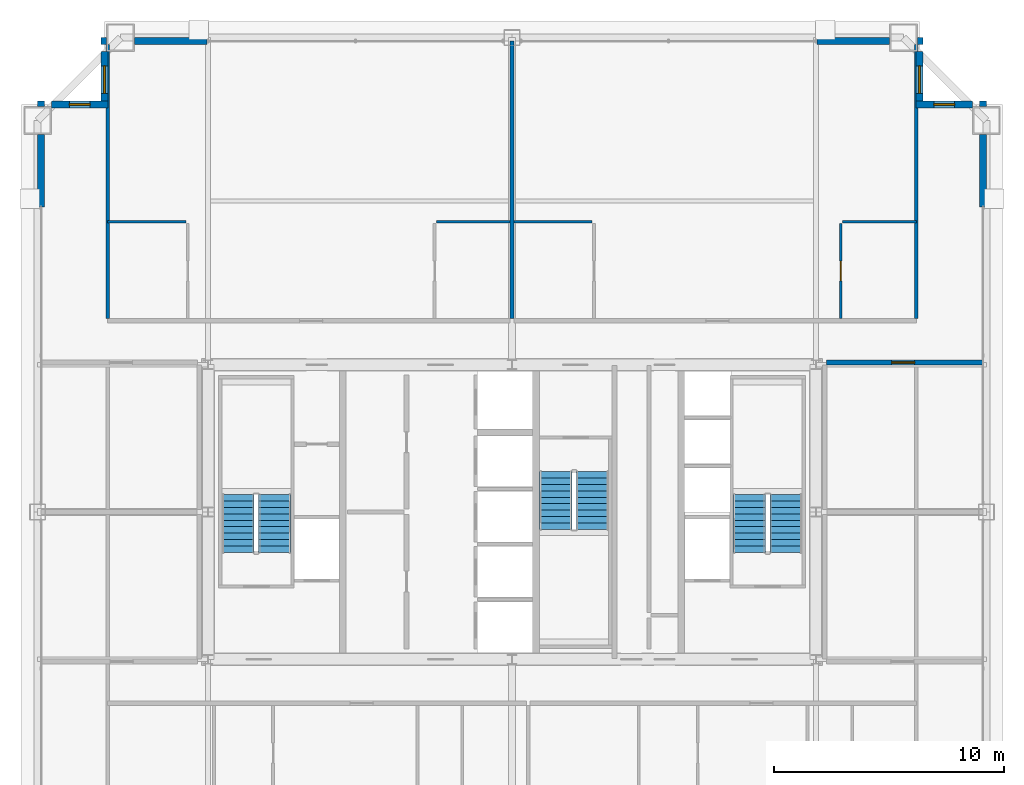
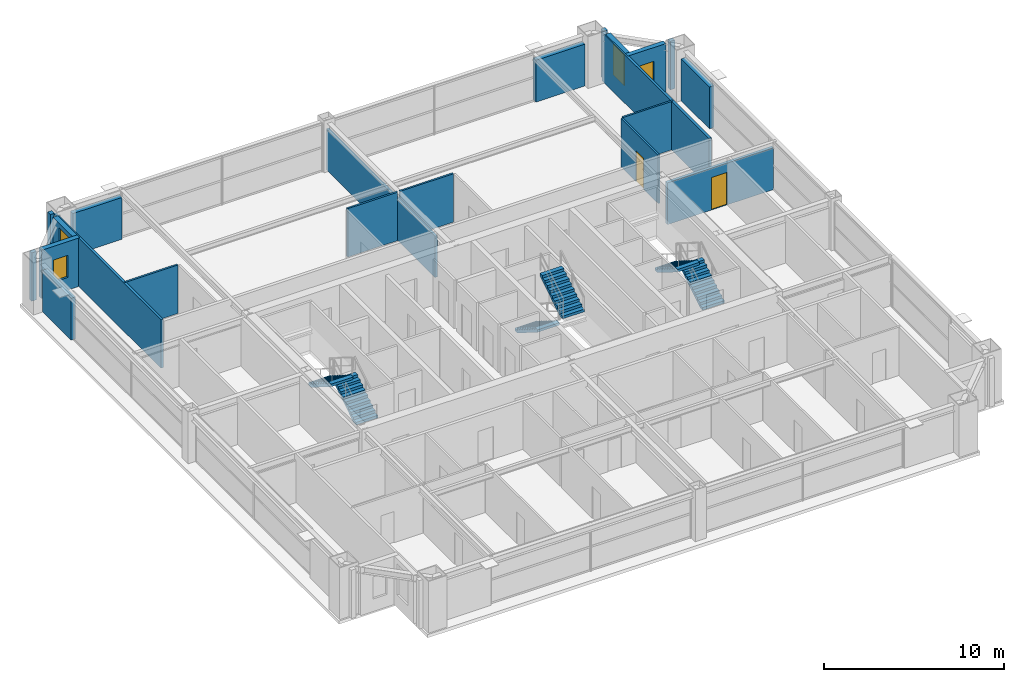
# One storey, part 35 of 36: 21 walls, 6 stair flights, 4 windows, 2 doors, 6 openings, 3 elements without a shape of their own.
"""IFC4 building model written with IfcOpenShell, lengths in metres."""

from ifc_helpers import new_model, si_unit, direction, frame, frame_2d, origin, place, context, subcontext, project, spatial, polyline, rectangle, outline, extrude, source, transform, mapped, material, layer, layer_set, type_object, element, fill, aggregate, save


model = new_model("IFC4")

# Units and contexts
model_context = context("Model", 3, precision=1e-05, world=origin(), true_north=direction((0.0, 1.0)))
body_context = subcontext(model_context, "Body", "Model", "MODEL_VIEW")
ifc_project = project(units=[si_unit("LENGTHUNIT", "METRE"), si_unit("AREAUNIT", "SQUARE_METRE"), si_unit("VOLUMEUNIT", "CUBIC_METRE"), si_unit("PLANEANGLEUNIT", "RADIAN"), si_unit("MASSUNIT", "GRAM", prefix="KILO"), si_unit("THERMODYNAMICTEMPERATUREUNIT", "KELVIN"), si_unit("POWERUNIT", "WATT")], contexts=[model_context])

# Site, building, storey
site_placement = place(None, origin())
site = spatial("IfcSite", under=ifc_project, at=site_placement, CompositionType="ELEMENT")
building_placement = place(site_placement, origin())
building = spatial("IfcBuilding", under=site, at=building_placement, Name="Yuzanri Waterfront Tower", CompositionType="ELEMENT")
storey_placement = place(building_placement, frame((0.0, 0.0, 231.10009765625)))
storey = spatial("IfcBuildingStorey", under=building, at=storey_placement, Name="L61", CompositionType="ELEMENT", Elevation=231.10009765625)

# Wall, opening, door
ifc_material_1 = material(Name="Moisture-Resistant Gypsum Stud Wall", Category="gypsum")
ifc_layer_1 = layer(ifc_material_1, 0.1201171875)
ifc_layer_set_1 = layer_set([ifc_layer_1], Name="Moisture-Resistant Gypsum Stud Wall")
wall_type_1 = type_object("IfcWallType", Name="Bathroom and Kitchen Wet Partition 120", PredefinedType="PARTITIONING", material=ifc_layer_set_1)
wall_1_placement = place(storey_placement, frame((51.280029296875, 34.2099609375, 0.0), z_axis=(0.0, 0.0, 1.0), x_axis=(0.0, 1.0, 0.0)))
wall_1 = element("IfcWall", 1, at=wall_1_placement, inside=storey, type_object=wall_type_1, Name="L61 Partition UW-L61-RN2-SUB-2-W", PredefinedType="PARTITIONING", context=body_context, shape_type="SweptSolid", body=[
    extrude(rectangle(XDim=4.110107421875, YDim=0.1201171875, at=frame_2d((2.05517578125, 0.0))), origin(), (0.0, 0.0, 1.0), 3.27978515625),
])
opening_1_placement = place(wall_1_placement, frame((1.6298828125, 0.0, 0.0)))
opening_1 = element("IfcOpeningElement", 2, at=opening_1_placement, cuts=wall_1, Name="Opening ID-0850", PredefinedType="OPENING", context=body_context, shape_type="SweptSolid", body=[
    extrude(rectangle(XDim=0.85009765625, YDim=2.10009765625, at=frame_2d((0.425048828125, 1.050048828125))), frame((0.0, 0.074951171875, 0.0), z_axis=(0.0, -1.0, 0.0), x_axis=(1.0, 0.0, 0.0)), (0.0, 0.0, 1.0), 0.14990234375),
])
ifc_material_2 = material(Name="Moisture-Resistant Lacquered Timber", Category="wood")
door_type_1 = type_object("IfcDoorType", Name="En-Suite Bathroom and Kitchen Swing Door 850x2100", OperationType="NOTDEFINED", PredefinedType="DOOR", material=ifc_material_2)
shared_shape_1 = source(origin(), body_context, "Body", "SweptSolid", [
    extrude(rectangle(XDim=0.85009765625, YDim=2.10009765625, at=frame_2d((0.425048828125, 1.050048828125))), frame((0.0, 0.02490234375, 0.0), z_axis=(0.0, -1.0, 0.0), x_axis=(1.0, 0.0, 0.0)), (0.0, 0.0, 1.0), 0.050048828125),
])
door_1_placement = place(opening_1_placement, origin())
door_1 = element("IfcDoor", 3, at=door_1_placement, inside=storey, type_object=door_type_1, Name="L61 Suite Interior Room Door", OperationType="SINGLE_SWING_LEFT", OverallHeight=2.10009765625, OverallWidth=0.85009765625, PredefinedType="DOOR", context=body_context, shape_type="MappedRepresentation", body=[
    mapped(shared_shape_1, transform((0.0, 0.0, 0.0), scale=1.0)),
])
fill(opening_1, door_1)

# Wall, opening, window
ifc_material_3 = material(Name="Honed Chongqing Dark Basalt Stone", Category="masonry")
ifc_layer_2 = layer(ifc_material_3, 0.300048828125)
ifc_layer_set_2 = layer_set([ifc_layer_2], Name="Honed Chongqing Dark Basalt Stone")
wall_type_2 = type_object("IfcWallType", Name="Bronze Rainscreen Insulated Spandrel Portal Wall 300", PredefinedType="SOLIDWALL", material=ifc_layer_set_2)
wall_2_placement = place(storey_placement, frame((19.449951171875, 43.5, 0.0), z_axis=(0.0, 0.0, 1.0), x_axis=(-1.0, 0.0, 0.0)))
wall_2 = element("IfcWall", 4, at=wall_2_placement, inside=storey, type_object=wall_type_2, Name="L61 Notched Corner Masonry Wall NW-X", PredefinedType="SOLIDWALL", context=body_context, shape_type="SweptSolid", body=[
    extrude(rectangle(XDim=2.449951171875, YDim=0.300048828125, at=frame_2d((1.22509765625, 0.0))), origin(), (0.0, 0.0, 1.0), 3.27978515625),
])
opening_2_placement = place(wall_2_placement, frame((0.77490234375, 0.0, 0.85009765625)))
opening_2 = element("IfcOpeningElement", 5, at=opening_2_placement, cuts=wall_2, Name="Opening WN-05", PredefinedType="OPENING", context=body_context, shape_type="SweptSolid", body=[
    extrude(rectangle(XDim=0.89990234375, YDim=1.5, at=frame_2d((0.449951171875, 0.75))), frame((0.0, 0.1650390625, 0.0), z_axis=(0.0, -1.0, 0.0), x_axis=(1.0, 0.0, 0.0)), (0.0, 0.0, 1.0), 0.329833984375),
])
ifc_material_4 = material(Name="Double-Silver Low-E Insulated Glass", Category="glass")
window_type_1 = type_object("IfcWindowType", Name="Anodized Bronze Service and Stairwell Smoke-Vent Window 900x1500", PartitioningType="SINGLE_PANEL", PredefinedType="WINDOW", material=ifc_material_4)
shared_shape_2 = source(origin(), body_context, "Body", "SweptSolid", [
    extrude(rectangle(XDim=0.89990234375, YDim=1.5, at=frame_2d((0.449951171875, 0.75))), frame((0.0, 0.030029296875, 0.0), z_axis=(0.0, -1.0, 0.0), x_axis=(1.0, 0.0, 0.0)), (0.0, 0.0, 1.0), 0.06005859375),
])
window_1_placement = place(opening_2_placement, origin())
window_1 = element("IfcWindow", 6, at=window_1_placement, inside=storey, type_object=window_type_1, Name="L61 Notched Corner Window NW-X", OverallHeight=1.5, OverallWidth=0.89990234375, PartitioningType="SINGLE_PANEL", PredefinedType="WINDOW", context=body_context, shape_type="MappedRepresentation", body=[
    mapped(shared_shape_2, transform((0.0, 0.0, 0.0), scale=1.0)),
])
fill(opening_2, window_1)

wall_3_placement = place(storey_placement, frame((19.300048828125, 45.800048828125, 0.0), z_axis=(0.0, 0.0, 1.0), x_axis=(0.0, -1.0, 0.0)))
wall_3 = element("IfcWall", 7, at=wall_3_placement, inside=storey, type_object=wall_type_2, Name="L61 Notched Corner Masonry Wall NW-Y", PredefinedType="SOLIDWALL", context=body_context, shape_type="SweptSolid", body=[
    extrude(rectangle(XDim=2.449951171875, YDim=0.300048828125, at=frame_2d((1.22509765625, 0.0))), origin(), (0.0, 0.0, 1.0), 3.27978515625),
])
opening_3_placement = place(wall_3_placement, frame((0.625, 0.0, 0.85009765625)))
opening_3 = element("IfcOpeningElement", 8, at=opening_3_placement, cuts=wall_3, Name="Opening WN-02", PredefinedType="OPENING", context=body_context, shape_type="SweptSolid", body=[
    extrude(rectangle(XDim=1.199951171875, YDim=2.10009765625, at=frame_2d((0.60009765625, 1.050048828125))), frame((0.0, 0.1650390625, 0.0), z_axis=(0.0, -1.0, 0.0), x_axis=(1.0, 0.0, 0.0)), (0.0, 0.0, 1.0), 0.329833984375),
])
ifc_material_5 = material(Name="Double-Silver Low-E Insulated Glass", Category="glass")
window_type_2 = type_object("IfcWindowType", Name="Anodized Bronze Notched Corner Deep-Set Slot Window 1200x2100", PartitioningType="SINGLE_PANEL", PredefinedType="WINDOW", material=ifc_material_5)
shared_shape_3 = source(origin(), body_context, "Body", "SweptSolid", [
    extrude(rectangle(XDim=1.199951171875, YDim=2.10009765625, at=frame_2d((0.60009765625, 1.050048828125))), frame((0.0, 0.030029296875, 0.0), z_axis=(0.0, -1.0, 0.0), x_axis=(1.0, 0.0, 0.0)), (0.0, 0.0, 1.0), 0.06005859375),
])
window_2_placement = place(opening_3_placement, origin())
window_2 = element("IfcWindow", 9, at=window_2_placement, inside=storey, type_object=window_type_2, Name="L61 Notched Corner Window NW-Y", OverallHeight=2.10009765625, OverallWidth=1.199951171875, PartitioningType="SINGLE_PANEL", PredefinedType="WINDOW", context=body_context, shape_type="MappedRepresentation", body=[
    mapped(shared_shape_3, transform((0.0, 0.0, 0.0), scale=1.0)),
])
fill(opening_3, window_2)

wall_4_placement = place(storey_placement, frame((57.0, 43.5, 0.0), z_axis=(0.0, 0.0, 1.0), x_axis=(-1.0, 0.0, 0.0)))
wall_4 = element("IfcWall", 10, at=wall_4_placement, inside=storey, type_object=wall_type_2, Name="L61 Notched Corner Masonry Wall NE-X", PredefinedType="SOLIDWALL", context=body_context, shape_type="SweptSolid", body=[
    extrude(rectangle(XDim=2.449951171875, YDim=0.300048828125, at=frame_2d((1.22509765625, 0.0))), origin(), (0.0, 0.0, 1.0), 3.27978515625),
])
opening_4_placement = place(wall_4_placement, frame((0.77490234375, 0.0, 0.85009765625)))
opening_4 = element("IfcOpeningElement", 11, at=opening_4_placement, cuts=wall_4, Name="Opening WN-05", PredefinedType="OPENING", context=body_context, shape_type="SweptSolid", body=[
    extrude(rectangle(XDim=0.89990234375, YDim=1.5, at=frame_2d((0.449951171875, 0.75))), frame((0.0, 0.1650390625, 0.0), z_axis=(0.0, -1.0, 0.0), x_axis=(1.0, 0.0, 0.0)), (0.0, 0.0, 1.0), 0.329833984375),
])
window_3_placement = place(opening_4_placement, origin())
window_3 = element("IfcWindow", 12, at=window_3_placement, inside=storey, type_object=window_type_1, Name="L61 Notched Corner Window NE-X", OverallHeight=1.5, OverallWidth=0.89990234375, PartitioningType="SINGLE_PANEL", PredefinedType="WINDOW", context=body_context, shape_type="MappedRepresentation", body=[
    mapped(shared_shape_2, transform((0.0, 0.0, 0.0), scale=1.0)),
])
fill(opening_4, window_3)

wall_5_placement = place(storey_placement, frame((54.699951171875, 43.35009765625, 0.0), z_axis=(0.0, 0.0, 1.0), x_axis=(0.0, 1.0, 0.0)))
wall_5 = element("IfcWall", 13, at=wall_5_placement, inside=storey, type_object=wall_type_2, Name="L61 Notched Corner Masonry Wall NE-Y", PredefinedType="SOLIDWALL", context=body_context, shape_type="SweptSolid", body=[
    extrude(rectangle(XDim=2.449951171875, YDim=0.300048828125, at=frame_2d((1.22509765625, 0.0))), origin(), (0.0, 0.0, 1.0), 3.27978515625),
])
opening_5_placement = place(wall_5_placement, frame((0.625, 0.0, 0.85009765625)))
opening_5 = element("IfcOpeningElement", 14, at=opening_5_placement, cuts=wall_5, Name="Opening WN-02", PredefinedType="OPENING", context=body_context, shape_type="SweptSolid", body=[
    extrude(rectangle(XDim=1.199951171875, YDim=2.10009765625, at=frame_2d((0.60009765625, 1.050048828125))), frame((0.0, 0.1650390625, 0.0), z_axis=(0.0, -1.0, 0.0), x_axis=(1.0, 0.0, 0.0)), (0.0, 0.0, 1.0), 0.329833984375),
])
window_4_placement = place(opening_5_placement, origin())
window_4 = element("IfcWindow", 15, at=window_4_placement, inside=storey, type_object=window_type_2, Name="L61 Notched Corner Window NE-Y", OverallHeight=2.10009765625, OverallWidth=1.199951171875, PartitioningType="SINGLE_PANEL", PredefinedType="WINDOW", context=body_context, shape_type="MappedRepresentation", body=[
    mapped(shared_shape_3, transform((0.0, 0.0, 0.0), scale=1.0)),
])
fill(opening_5, window_4)

# Wall, opening, door
ifc_material_6 = material(Name="Autoclaved Aerated Concrete Blockwork", Category="masonry")
ifc_layer_3 = layer(ifc_material_6, 0.199951171875)
ifc_layer_set_3 = layer_set([ifc_layer_3], Name="Autoclaved Aerated Concrete Blockwork")
wall_type_3 = type_object("IfcWallType", Name="Corridor and Unit Party Fire Wall 200", PredefinedType="PARTITIONING", material=ifc_layer_set_3)
wall_6_placement = place(storey_placement, frame((50.64990234375, 32.2900390625, 0.0), z_axis=(0.0, 0.0, 1.0), x_axis=(1.0, 0.0, 0.0)))
wall_6 = element("IfcWall", 16, at=wall_6_placement, inside=storey, type_object=wall_type_3, Name="L61 Partition UW-L61-042-CN", PredefinedType="PARTITIONING", context=body_context, shape_type="SweptSolid", body=[
    extrude(rectangle(XDim=6.800048828125, YDim=0.199951171875, at=frame_2d((3.39990234375, 0.0))), origin(), (0.0, 0.0, 1.0), 2.824951171875),
])
opening_6_placement = place(wall_6_placement, frame((2.8349609375, 0.0, 0.0)))
opening_6 = element("IfcOpeningElement", 17, at=opening_6_placement, cuts=wall_6, Name="Opening FD-1000", PredefinedType="OPENING", context=body_context, shape_type="SweptSolid", body=[
    extrude(rectangle(XDim=1.0, YDim=2.199951171875, at=frame_2d((0.5, 1.10009765625))), frame((0.0, 0.11474609375, 0.0), z_axis=(0.0, -1.0, 0.0), x_axis=(1.0, 0.0, 0.0)), (0.0, 0.0, 1.0), 0.229736328125),
])
ifc_material_7 = material(Name="Engineered Oak Fire-Rated Timber", Category="wood")
door_type_2 = type_object("IfcDoorType", Name="Guestroom and Apartment Entrance Fire Door 1000x2200", OperationType="NOTDEFINED", PredefinedType="DOOR", material=ifc_material_7)
shared_shape_4 = source(origin(), body_context, "Body", "SweptSolid", [
    extrude(rectangle(XDim=1.0, YDim=2.199951171875, at=frame_2d((0.5, 1.10009765625))), frame((0.0, 0.02490234375, 0.0), z_axis=(0.0, -1.0, 0.0), x_axis=(1.0, 0.0, 0.0)), (0.0, 0.0, 1.0), 0.050048828125),
])
door_2_placement = place(opening_6_placement, origin())
door_2 = element("IfcDoor", 18, at=door_2_placement, inside=storey, type_object=door_type_2, Name="L61 Residents E Seminar Meeting Room Entrance Door", OperationType="SINGLE_SWING_LEFT", OverallHeight=2.199951171875, OverallWidth=1.0, PredefinedType="DOOR", context=body_context, shape_type="MappedRepresentation", body=[
    mapped(shared_shape_4, transform((0.0, 0.0, 0.0), scale=1.0)),
])
fill(opening_6, door_2)

# Walls
shared_shape_5 = source(origin(), body_context, "Body", "SweptSolid", [
    extrude(rectangle(XDim=0.25, YDim=0.300048828125, at=frame_2d((0.125, 0.0))), origin(), (0.0, 0.0, 1.0), 3.27978515625),
])
for number, where, z_axis, x_axis, name in (
    (19, (19.14990234375, 46.25, 0.0), (0.0, 0.0, 1.0), (1.0, 0.0, 0.0), "L61 Corner Column Shoulder Return CNW"),
    (20, (54.60009765625, 46.25, 0.0), (0.0, 0.0, 1.0), (1.0, 0.0, 0.0), "L61 Corner Column Shoulder Return CNE"),
    (21, (16.550048828125, 43.39990234375, 0.0), (0.0, 0.0, 1.0), (0.0, 1.0, 0.0), "L61 Corner Column Shoulder Return CWN"),
    (22, (57.449951171875, 43.39990234375, 0.0), (0.0, 0.0, 1.0), (0.0, 1.0, 0.0), "L61 Corner Column Shoulder Return CEN"),
):
    element("IfcWall", number, at=place(storey_placement, frame(where, z_axis=z_axis, x_axis=x_axis)), inside=storey, type_object=wall_type_2, Name=name, PredefinedType="SOLIDWALL", context=body_context, shape_type="MappedRepresentation", body=[
        mapped(shared_shape_5, transform((0.0, 0.0, 0.0), scale=1.0)),
    ])
shared_shape_6 = source(origin(), body_context, "Body", "SweptSolid", [
    extrude(rectangle(XDim=3.14990234375, YDim=0.300048828125, at=frame_2d((1.574951171875, 0.0))), origin(), (0.0, 0.0, 1.0), 2.8349609375),
])
for number, where, z_axis, x_axis, name in (
    (23, (20.60009765625, 46.25, 0.0), (0.0, 0.0, 1.0), (1.0, 0.0, 0.0), "L61 N Left Braced Masonry Shoulder"),
    (24, (50.25, 46.25, 0.0), (0.0, 0.0, 1.0), (1.0, 0.0, 0.0), "L61 N Right Braced Masonry Shoulder"),
    (25, (16.550048828125, 39.050048828125, 0.0), (0.0, 0.0, 1.0), (0.0, 1.0, 0.0), "L61 W Right Braced Masonry Shoulder"),
    (26, (57.449951171875, 39.050048828125, 0.0), (0.0, 0.0, 1.0), (0.0, 1.0, 0.0), "L61 E Right Braced Masonry Shoulder"),
):
    element("IfcWall", number, at=place(storey_placement, frame(where, z_axis=z_axis, x_axis=x_axis)), inside=storey, type_object=wall_type_2, Name=name, PredefinedType="SOLIDWALL", context=body_context, shape_type="MappedRepresentation", body=[
        mapped(shared_shape_6, transform((0.0, 0.0, 0.0), scale=1.0)),
    ])
ifc_material_8 = material(Name="Gypsum Fireboard Acoustic Stud Wall", Category="gypsum")
ifc_layer_4 = layer(ifc_material_8, 0.159912109375)
ifc_layer_set_4 = layer_set([ifc_layer_4], Name="Gypsum Fireboard Acoustic Stud Wall")
wall_type_4 = type_object("IfcWallType", Name="Acoustic Suite Demising Partition 160", PredefinedType="PARTITIONING", material=ifc_layer_set_4)
shared_shape_7 = source(origin(), body_context, "Body", "SweptSolid", [
    extrude(rectangle(XDim=12.0400390625, YDim=0.159912109375, at=frame_2d((6.02001953125, 0.0))), origin(), (0.0, 0.0, 1.0), 2.786865234375),
])
wall_7_placement = place(storey_placement, frame((37.0, 34.2099609375, 0.0), z_axis=(0.0, 0.0, 1.0), x_axis=(0.0, 1.0, 0.0)))
element("IfcWall", 27, at=wall_7_placement, inside=storey, type_object=wall_type_4, Name="L61-RN1 Party Wall", PredefinedType="PARTITIONING", context=body_context, shape_type="MappedRepresentation", body=[
    mapped(shared_shape_7, transform((0.0, 0.0, 0.0), scale=1.0)),
])
shared_shape_8 = source(origin(), body_context, "Body", "SweptSolid", [
    extrude(rectangle(XDim=3.400146484375, YDim=0.1201171875, at=frame_2d((1.7001953125, 0.0))), origin(), (0.0, 0.0, 1.0), 3.27978515625),
])
wall_8_placement = place(storey_placement, frame((19.43994140625, 38.39990234375, 0.0), z_axis=(0.0, 0.0, 1.0), x_axis=(1.0, 0.0, 0.0)))
element("IfcWall", 28, at=wall_8_placement, inside=storey, type_object=wall_type_1, Name="L61 Partition UW-L61-RN1-SUB-1-N", PredefinedType="PARTITIONING", context=body_context, shape_type="MappedRepresentation", body=[
    mapped(shared_shape_8, transform((0.0, 0.0, 0.0), scale=1.0)),
])
shared_shape_9 = source(origin(), body_context, "Body", "SweptSolid", [
    extrude(rectangle(XDim=3.199951171875, YDim=0.1201171875, at=frame_2d((1.60009765625, 0.0))), origin(), (0.0, 0.0, 1.0), 3.27978515625),
])
for number, where, z_axis, x_axis, name in (
    (29, (33.719970703125, 38.39990234375, 0.0), (0.0, 0.0, 1.0), (1.0, 0.0, 0.0), "L61 Partition UW-L61-RN1-SUB-2-N"),
    (30, (51.360107421875, 38.39990234375, 0.0), (0.0, 0.0, 1.0), (1.0, 0.0, 0.0), "L61 Partition UW-L61-RN2-SUB-2-N"),
):
    element("IfcWall", number, at=place(storey_placement, frame(where, z_axis=z_axis, x_axis=x_axis)), inside=storey, type_object=wall_type_1, Name=name, PredefinedType="PARTITIONING", context=body_context, shape_type="MappedRepresentation", body=[
        mapped(shared_shape_9, transform((0.0, 0.0, 0.0), scale=1.0)),
    ])
shared_shape_10 = source(origin(), body_context, "Body", "SweptSolid", [
    extrude(rectangle(XDim=11.89013671875, YDim=0.159912109375, at=frame_2d((5.945068359375, 0.0))), origin(), (0.0, 0.0, 1.0), 3.27978515625),
])
for number, where, z_axis, x_axis, name in (
    (31, (19.449951171875, 34.2099609375, 0.0), (0.0, 0.0, 1.0), (0.0, 1.0, 0.0), "L61 North Band West End Wall"),
    (32, (54.550048828125, 34.2099609375, 0.0), (0.0, 0.0, 1.0), (0.0, 1.0, 0.0), "L61 North Band East End Wall"),
):
    element("IfcWall", number, at=place(storey_placement, frame(where, z_axis=z_axis, x_axis=x_axis)), inside=storey, type_object=wall_type_4, Name=name, PredefinedType="PARTITIONING", context=body_context, shape_type="MappedRepresentation", body=[
        mapped(shared_shape_10, transform((0.0, 0.0, 0.0), scale=1.0)),
    ])
shared_shape_11 = source(origin(), body_context, "Body", "SweptSolid", [
    extrude(rectangle(XDim=3.39990234375, YDim=0.1201171875, at=frame_2d((1.699951171875, 0.0))), origin(), (0.0, 0.0, 1.0), 3.27978515625),
])
wall_9_placement = place(storey_placement, frame((37.080078125, 38.39990234375, 0.0), z_axis=(0.0, 0.0, 1.0), x_axis=(1.0, 0.0, 0.0)))
element("IfcWall", 33, at=wall_9_placement, inside=storey, type_object=wall_type_1, Name="L61 Partition UW-L61-RN2-SUB-1-N", PredefinedType="PARTITIONING", context=body_context, shape_type="MappedRepresentation", body=[
    mapped(shared_shape_11, transform((0.0, 0.0, 0.0), scale=1.0)),
])

# Stair, stair flights
ifc_material_9 = material(Name="Concrete C40", Category="concrete")
stair_type = type_object("IfcStairType", Name="Concrete C40 Core Dogleg Exit Stair", PredefinedType="HALF_TURN_STAIR", material=ifc_material_9)
stair_1_placement = place(storey_placement, origin())
stair_1 = element("IfcStair", 34, at=stair_1_placement, inside=storey, type_object=stair_type, Name="L61 Smoke-Proof Core Stair ST-01", PredefinedType="HALF_TURN_STAIR")
ifc_material_10 = material(Name="Concrete C40", Category="concrete")
stair_flight_type = type_object("IfcStairFlightType", Name="Concrete C40 Precast Stair Flight 1380", PredefinedType="STRAIGHT", material=ifc_material_10)
shared_shape_12 = source(origin(), body_context, "Body", "SweptSolid", [
    extrude(outline(polyline([(0.0, 0.0), (0.0, 0.175048828125), (0.280029296875, 0.175048828125), (0.280029296875, 0.35009765625), (0.56005859375, 0.35009765625), (0.56005859375, 0.52490234375), (0.840087890625, 0.52490234375), (0.840087890625, 0.699951171875), (1.1201171875, 0.699951171875), (1.1201171875, 0.875), (1.39990234375, 0.875), (1.39990234375, 1.050048828125), (1.679931640625, 1.050048828125), (1.679931640625, 1.22509765625), (1.9599609375, 1.22509765625), (1.9599609375, 1.39990234375), (2.239990234375, 1.39990234375), (2.239990234375, 1.574951171875), (2.52001953125, 1.574951171875), (2.52001953125, 1.75), (2.52001953125, 1.398193359375), (0.28271484375, 0.0), (0.0, 0.0)])), frame((0.0, 0.699951171875, 0.0), z_axis=(0.0, -1.0, 0.0), x_axis=(1.0, 0.0, 0.0)), (0.0, 0.0, 1.0), 1.39990234375),
])
stair_flight_1_placement = place(storey_placement, frame((26.699951171875, 24.0400390625, 0.0), z_axis=(0.0, 0.0, 1.0), x_axis=(0.0, 1.0, 0.0)))
stair_flight_1 = element("IfcStairFlight", 35, at=stair_flight_1_placement, type_object=stair_flight_type, Name="ST-01 flight 1", NumberOfRisers=10, NumberOfTreads=9, PredefinedType="STRAIGHT", RiserHeight=0.175, TreadLength=0.28, context=body_context, shape_type="MappedRepresentation", body=[
    mapped(shared_shape_12, transform((0.0, 0.0, 0.0), scale=1.0)),
])
stair_flight_2_placement = place(storey_placement, frame((25.10009765625, 26.56005859375, 1.75), z_axis=(0.0, 0.0, 1.0), x_axis=(0.0, -1.0, 0.0)))
stair_flight_2 = element("IfcStairFlight", 36, at=stair_flight_2_placement, type_object=stair_flight_type, Name="ST-01 flight 2", NumberOfRisers=10, NumberOfTreads=9, PredefinedType="STRAIGHT", RiserHeight=0.175, TreadLength=0.28, context=body_context, shape_type="MappedRepresentation", body=[
    mapped(shared_shape_12, transform((0.0, 0.0, 0.0), scale=1.0)),
])
aggregate(stair_1, [stair_flight_1, stair_flight_2])

stair_2_placement = place(storey_placement, origin())
stair_2 = element("IfcStair", 37, at=stair_2_placement, inside=storey, type_object=stair_type, Name="L61 Smoke-Proof Core Stair ST-02", PredefinedType="HALF_TURN_STAIR")
stair_flight_3_placement = place(storey_placement, frame((48.89990234375, 24.0400390625, 0.0), z_axis=(0.0, 0.0, 1.0), x_axis=(0.0, 1.0, 0.0)))
stair_flight_3 = element("IfcStairFlight", 38, at=stair_flight_3_placement, type_object=stair_flight_type, Name="ST-02 flight 1", NumberOfRisers=10, NumberOfTreads=9, PredefinedType="STRAIGHT", RiserHeight=0.175, TreadLength=0.28, context=body_context, shape_type="MappedRepresentation", body=[
    mapped(shared_shape_12, transform((0.0, 0.0, 0.0), scale=1.0)),
])
stair_flight_4_placement = place(storey_placement, frame((47.300048828125, 26.56005859375, 1.75), z_axis=(0.0, 0.0, 1.0), x_axis=(0.0, -1.0, 0.0)))
stair_flight_4 = element("IfcStairFlight", 39, at=stair_flight_4_placement, type_object=stair_flight_type, Name="ST-02 flight 2", NumberOfRisers=10, NumberOfTreads=9, PredefinedType="STRAIGHT", RiserHeight=0.175, TreadLength=0.28, context=body_context, shape_type="MappedRepresentation", body=[
    mapped(shared_shape_12, transform((0.0, 0.0, 0.0), scale=1.0)),
])
aggregate(stair_2, [stair_flight_3, stair_flight_4])

stair_3_placement = place(storey_placement, origin())
stair_3 = element("IfcStair", 40, at=stair_3_placement, inside=storey, type_object=stair_type, Name="L61 Smoke-Proof Core Stair ST-03", PredefinedType="HALF_TURN_STAIR")
stair_flight_5_placement = place(storey_placement, frame((38.89990234375, 27.56005859375, 0.0), z_axis=(0.0, 0.0, 1.0), x_axis=(0.0, -1.0, 0.0)))
stair_flight_5 = element("IfcStairFlight", 41, at=stair_flight_5_placement, type_object=stair_flight_type, Name="ST-03 flight 1", NumberOfRisers=10, NumberOfTreads=9, PredefinedType="STRAIGHT", RiserHeight=0.175, TreadLength=0.28, context=body_context, shape_type="MappedRepresentation", body=[
    mapped(shared_shape_12, transform((0.0, 0.0, 0.0), scale=1.0)),
])
stair_flight_6_placement = place(storey_placement, frame((40.5, 25.0400390625, 1.75), z_axis=(0.0, 0.0, 1.0), x_axis=(0.0, 1.0, 0.0)))
stair_flight_6 = element("IfcStairFlight", 42, at=stair_flight_6_placement, type_object=stair_flight_type, Name="ST-03 flight 2", NumberOfRisers=10, NumberOfTreads=9, PredefinedType="STRAIGHT", RiserHeight=0.175, TreadLength=0.28, context=body_context, shape_type="MappedRepresentation", body=[
    mapped(shared_shape_12, transform((0.0, 0.0, 0.0), scale=1.0)),
])
aggregate(stair_3, [stair_flight_5, stair_flight_6])

save(model, "model.ifc")
